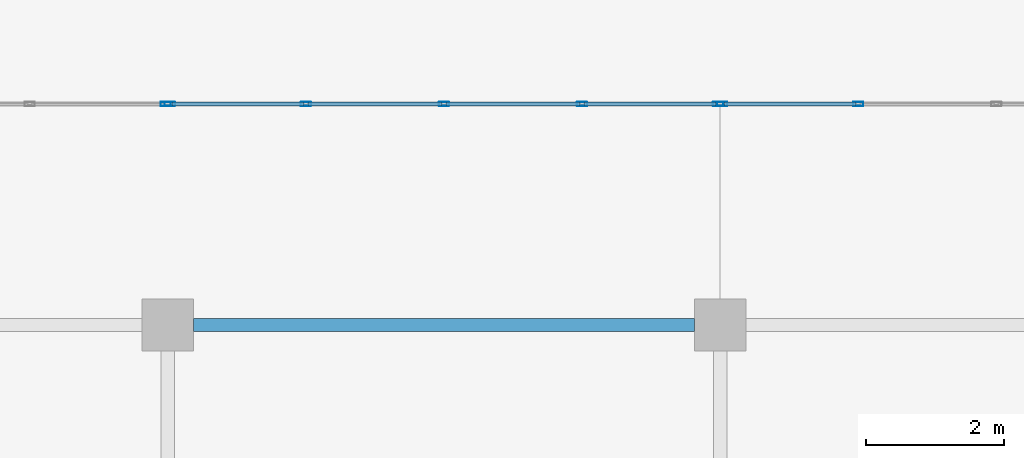
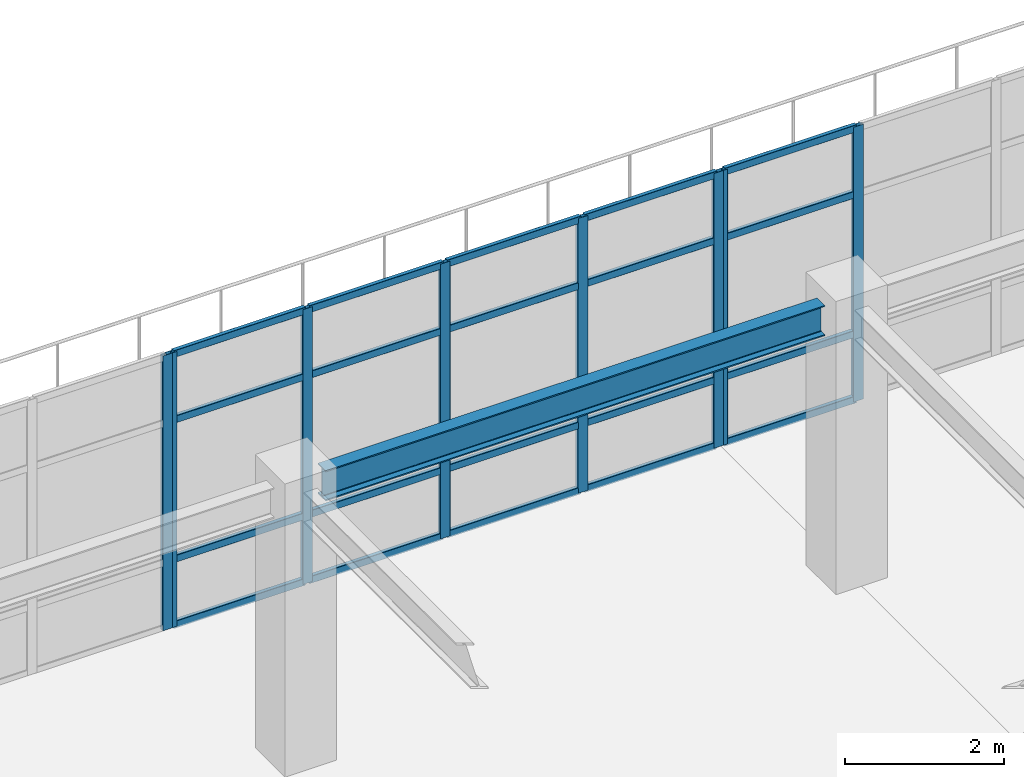
# One storey, part 15 of 42: 28 members, 1 beam, 3 elements without a shape of their own.
"""IFC4 building model written with IfcOpenShell, lengths in metres."""

from ifc_helpers import new_model, si_unit, direction, frame, origin, origin_2d, place, context, subcontext, project, spatial, hollow_rectangle, i_section, extrude, material, material_profile, profile_set, type_object, element, aggregate, save


model = new_model("IFC4")

# Units and contexts
model_context = context("Model", 3, precision=1e-05, world=origin(), true_north=direction((0.0, 1.0)))
body_context = subcontext(model_context, "Body", "Model", "MODEL_VIEW")
ifc_project = project(units=[si_unit("LENGTHUNIT", "METRE"), si_unit("AREAUNIT", "SQUARE_METRE"), si_unit("VOLUMEUNIT", "CUBIC_METRE"), si_unit("PLANEANGLEUNIT", "RADIAN"), si_unit("MASSUNIT", "GRAM", prefix="KILO")], contexts=[model_context])

# Site, building, storey
site_placement = place(None, origin())
site = spatial("IfcSite", under=ifc_project, at=site_placement, CompositionType="ELEMENT")
building_placement = place(site_placement, origin())
building = spatial("IfcBuilding", under=site, at=building_placement, Name="Solmirada Galleria", CompositionType="ELEMENT")
storey_placement = place(building_placement, frame((0.0, 0.0, 28.39990234375)))
storey = spatial("IfcBuildingStorey", under=building, at=storey_placement, Name="L06", CompositionType="ELEMENT", Elevation=28.39990234375)

# Beam
ifc_material_1 = material(Name="Steel S355 / ASTM A992 Grade 50", Category="steel")
ifc_material_profile_1 = material_profile(ifc_material_1, i_section(OverallWidth=0.193115234375, OverallDepth=0.466064453125, WebThickness=0.011474609375, FlangeThickness=0.01904296875, FilletRadius=0.013916015625, at=origin_2d()), Name="W18X65")
ifc_profile_set_1 = profile_set([ifc_material_profile_1], Name="Steel S355 / ASTM A992 Grade 50")
beam_type = type_object("IfcBeamType", Name="BM-GIRD-W18C", PredefinedType="BEAM", material=ifc_profile_set_1)
beam_placement = place(storey_placement, frame((104.375, 16.0, 4.0400390625), z_axis=(1.0, 0.0, 0.0), x_axis=(0.0, 1.0, 0.0)))
element("IfcBeam", 1, at=beam_placement, inside=storey, type_object=beam_type, Name="South roof girder X=104..112", PredefinedType="BEAM", context=body_context, shape_type="SweptSolid", body=[
    extrude(i_section(OverallWidth=0.193115234375, OverallDepth=0.466064453125, WebThickness=0.011474609375, FlangeThickness=0.01904296875, FilletRadius=0.013916015625, at=origin_2d()), origin(), (0.0, 0.0, 1.0), 7.25),
])

# Curtain wall, member
ifc_material_2 = material(Name="Impact-resistant low-E double glazing", Category="glass")
curtain_wall_type = type_object("IfcCurtainWallType", Name="CW-FZ5-L06-B4-L080", PredefinedType="NOTDEFINED", material=ifc_material_2)
curtain_wall_1_placement = place(storey_placement, origin())
curtain_wall_1 = element("IfcCurtainWall", 2, at=curtain_wall_1_placement, inside=storey, type_object=curtain_wall_type, Name="Terrace and arcade storefront CW-L06-198", PredefinedType="NOTDEFINED")
ifc_material_3 = material(Name="Anodised aluminium framing", Category="aluminium")
ifc_material_profile_2 = material_profile(ifc_material_3, hollow_rectangle(XDim=0.06005859375, YDim=0.14990234375, WallThickness=0.00341796875, InnerFilletRadius=0.00341796875, OuterFilletRadius=0.007080078125, at=origin_2d()), Name="ALU-MULL-150X60")
ifc_profile_set_2 = profile_set([ifc_material_profile_2], Name="Anodised aluminium framing")
member_type_1 = type_object("IfcMemberType", Name="CW-MULL-150", PredefinedType="MULLION", material=ifc_profile_set_2)
member_1_placement = place(storey_placement, frame((103.969970703125, 19.199951171875, 0.0), z_axis=(0.0, 0.0, 1.0), x_axis=(0.0, 1.0, 0.0)))
member_1 = element("IfcMember", 3, at=member_1_placement, type_object=member_type_1, Name="CW39 mullion 5", PredefinedType="MULLION", context=body_context, shape_type="SweptSolid", body=[
    extrude(hollow_rectangle(XDim=0.06005859375, YDim=0.14990234375, WallThickness=0.00341796875, InnerFilletRadius=0.00341796875, OuterFilletRadius=0.007080078125, at=origin_2d()), origin(), (0.0, 0.0, 1.0), 4.22021484375),
])
aggregate(curtain_wall_1, [member_1])

# Curtain wall, members
curtain_wall_2_placement = place(storey_placement, origin())
curtain_wall_2 = element("IfcCurtainWall", 4, at=curtain_wall_2_placement, inside=storey, type_object=curtain_wall_type, Name="Terrace and arcade storefront CW-L06-199", PredefinedType="NOTDEFINED")
member_2_placement = place(storey_placement, frame((104.030029296875, 19.199951171875, 0.0), z_axis=(0.0, 0.0, 1.0), x_axis=(0.0, 1.0, 0.0)))
member_2 = element("IfcMember", 5, at=member_2_placement, type_object=member_type_1, Name="CW39 mullion 1", PredefinedType="MULLION", context=body_context, shape_type="SweptSolid", body=[
    extrude(hollow_rectangle(XDim=0.06005859375, YDim=0.14990234375, WallThickness=0.00341796875, InnerFilletRadius=0.00341796875, OuterFilletRadius=0.007080078125, at=origin_2d()), origin(), (0.0, 0.0, 1.0), 4.22021484375),
])
member_3_placement = place(storey_placement, frame((106.0, 19.199951171875, 0.0), z_axis=(0.0, 0.0, 1.0), x_axis=(0.0, 1.0, 0.0)))
member_3 = element("IfcMember", 6, at=member_3_placement, type_object=member_type_1, Name="CW39 mullion 2", PredefinedType="MULLION", context=body_context, shape_type="SweptSolid", body=[
    extrude(hollow_rectangle(XDim=0.06005859375, YDim=0.14990234375, WallThickness=0.00341796875, InnerFilletRadius=0.00341796875, OuterFilletRadius=0.007080078125, at=origin_2d()), origin(), (0.0, 0.0, 1.0), 4.22021484375),
])
member_4_placement = place(storey_placement, frame((108.0, 19.199951171875, 0.0), z_axis=(0.0, 0.0, 1.0), x_axis=(0.0, 1.0, 0.0)))
member_4 = element("IfcMember", 7, at=member_4_placement, type_object=member_type_1, Name="CW39 mullion 3", PredefinedType="MULLION", context=body_context, shape_type="SweptSolid", body=[
    extrude(hollow_rectangle(XDim=0.06005859375, YDim=0.14990234375, WallThickness=0.00341796875, InnerFilletRadius=0.00341796875, OuterFilletRadius=0.007080078125, at=origin_2d()), origin(), (0.0, 0.0, 1.0), 4.22021484375),
])
member_5_placement = place(storey_placement, frame((110.0, 19.199951171875, 0.0), z_axis=(0.0, 0.0, 1.0), x_axis=(0.0, 1.0, 0.0)))
member_5 = element("IfcMember", 8, at=member_5_placement, type_object=member_type_1, Name="CW39 mullion 4", PredefinedType="MULLION", context=body_context, shape_type="SweptSolid", body=[
    extrude(hollow_rectangle(XDim=0.06005859375, YDim=0.14990234375, WallThickness=0.00341796875, InnerFilletRadius=0.00341796875, OuterFilletRadius=0.007080078125, at=origin_2d()), origin(), (0.0, 0.0, 1.0), 4.22021484375),
])
member_6_placement = place(storey_placement, frame((111.969970703125, 19.199951171875, 0.0), z_axis=(0.0, 0.0, 1.0), x_axis=(0.0, 1.0, 0.0)))
member_6 = element("IfcMember", 9, at=member_6_placement, type_object=member_type_1, Name="CW39 mullion 5", PredefinedType="MULLION", context=body_context, shape_type="SweptSolid", body=[
    extrude(hollow_rectangle(XDim=0.06005859375, YDim=0.14990234375, WallThickness=0.00341796875, InnerFilletRadius=0.00341796875, OuterFilletRadius=0.007080078125, at=origin_2d()), origin(), (0.0, 0.0, 1.0), 4.22021484375),
])

curtain_wall_3_placement = place(storey_placement, origin())
curtain_wall_3 = element("IfcCurtainWall", 10, at=curtain_wall_3_placement, inside=storey, type_object=curtain_wall_type, Name="Terrace and arcade storefront CW-L06-200", PredefinedType="NOTDEFINED")
member_7_placement = place(storey_placement, frame((112.030029296875, 19.199951171875, 0.0), z_axis=(0.0, 0.0, 1.0), x_axis=(0.0, 1.0, 0.0)))
member_7 = element("IfcMember", 11, at=member_7_placement, type_object=member_type_1, Name="CW39 mullion 1", PredefinedType="MULLION", context=body_context, shape_type="SweptSolid", body=[
    extrude(hollow_rectangle(XDim=0.06005859375, YDim=0.14990234375, WallThickness=0.00341796875, InnerFilletRadius=0.00341796875, OuterFilletRadius=0.007080078125, at=origin_2d()), origin(), (0.0, 0.0, 1.0), 4.22021484375),
])
member_8_placement = place(storey_placement, frame((114.0, 19.199951171875, 0.0), z_axis=(0.0, 0.0, 1.0), x_axis=(0.0, 1.0, 0.0)))
member_8 = element("IfcMember", 12, at=member_8_placement, type_object=member_type_1, Name="CW39 mullion 2", PredefinedType="MULLION", context=body_context, shape_type="SweptSolid", body=[
    extrude(hollow_rectangle(XDim=0.06005859375, YDim=0.14990234375, WallThickness=0.00341796875, InnerFilletRadius=0.00341796875, OuterFilletRadius=0.007080078125, at=origin_2d()), origin(), (0.0, 0.0, 1.0), 4.22021484375),
])

# Member
ifc_material_profile_3 = material_profile(ifc_material_3, hollow_rectangle(XDim=0.06005859375, YDim=0.110107421875, WallThickness=0.003173828125, InnerFilletRadius=0.003173828125, OuterFilletRadius=0.00634765625, at=origin_2d()), Name="ALU-TRAN-110X60")
ifc_profile_set_3 = profile_set([ifc_material_profile_3], Name="Anodised aluminium framing")
member_type_2 = type_object("IfcMemberType", Name="CW-TRAN-110", PredefinedType="USERDEFINED", material=ifc_profile_set_3)
member_9_placement = place(storey_placement, frame((104.06005859375, 19.199951171875, 0.030029296875), z_axis=(1.0, 0.0, 0.0), x_axis=(0.0, 1.0, 0.0)))
member_9 = element("IfcMember", 13, at=member_9_placement, type_object=member_type_2, Name="CW39 transom 1.1", ObjectType="TRANSOM", PredefinedType="USERDEFINED", context=body_context, shape_type="SweptSolid", body=[
    extrude(hollow_rectangle(XDim=0.06005859375, YDim=0.110107421875, WallThickness=0.003173828125, InnerFilletRadius=0.003173828125, OuterFilletRadius=0.00634765625, at=origin_2d()), origin(), (0.0, 0.0, 1.0), 1.909912109375),
])

member_10_placement = place(storey_placement, frame((104.06005859375, 19.199951171875, 1.0400390625), z_axis=(1.0, 0.0, 0.0), x_axis=(0.0, 1.0, 0.0)))
member_10 = element("IfcMember", 14, at=member_10_placement, type_object=member_type_2, Name="CW39 transom 1.2", ObjectType="TRANSOM", PredefinedType="USERDEFINED", context=body_context, shape_type="SweptSolid", body=[
    extrude(hollow_rectangle(XDim=0.06005859375, YDim=0.110107421875, WallThickness=0.003173828125, InnerFilletRadius=0.003173828125, OuterFilletRadius=0.00634765625, at=origin_2d()), origin(), (0.0, 0.0, 1.0), 1.909912109375),
])

member_11_placement = place(storey_placement, frame((104.06005859375, 19.199951171875, 3.18017578125), z_axis=(1.0, 0.0, 0.0), x_axis=(0.0, 1.0, 0.0)))
member_11 = element("IfcMember", 15, at=member_11_placement, type_object=member_type_2, Name="CW39 transom 1.3", ObjectType="TRANSOM", PredefinedType="USERDEFINED", context=body_context, shape_type="SweptSolid", body=[
    extrude(hollow_rectangle(XDim=0.06005859375, YDim=0.110107421875, WallThickness=0.003173828125, InnerFilletRadius=0.003173828125, OuterFilletRadius=0.00634765625, at=origin_2d()), origin(), (0.0, 0.0, 1.0), 1.909912109375),
])

member_12_placement = place(storey_placement, frame((104.06005859375, 19.199951171875, 4.190185546875), z_axis=(1.0, 0.0, 0.0), x_axis=(0.0, 1.0, 0.0)))
member_12 = element("IfcMember", 16, at=member_12_placement, type_object=member_type_2, Name="CW39 transom 1.4", ObjectType="TRANSOM", PredefinedType="USERDEFINED", context=body_context, shape_type="SweptSolid", body=[
    extrude(hollow_rectangle(XDim=0.06005859375, YDim=0.110107421875, WallThickness=0.003173828125, InnerFilletRadius=0.003173828125, OuterFilletRadius=0.00634765625, at=origin_2d()), origin(), (0.0, 0.0, 1.0), 1.909912109375),
])

member_13_placement = place(storey_placement, frame((106.030029296875, 19.199951171875, 0.030029296875), z_axis=(1.0, 0.0, 0.0), x_axis=(0.0, 1.0, 0.0)))
member_13 = element("IfcMember", 17, at=member_13_placement, type_object=member_type_2, Name="CW39 transom 2.1", ObjectType="TRANSOM", PredefinedType="USERDEFINED", context=body_context, shape_type="SweptSolid", body=[
    extrude(hollow_rectangle(XDim=0.06005859375, YDim=0.110107421875, WallThickness=0.003173828125, InnerFilletRadius=0.003173828125, OuterFilletRadius=0.00634765625, at=origin_2d()), origin(), (0.0, 0.0, 1.0), 1.93994140625),
])

member_14_placement = place(storey_placement, frame((106.030029296875, 19.199951171875, 1.0400390625), z_axis=(1.0, 0.0, 0.0), x_axis=(0.0, 1.0, 0.0)))
member_14 = element("IfcMember", 18, at=member_14_placement, type_object=member_type_2, Name="CW39 transom 2.2", ObjectType="TRANSOM", PredefinedType="USERDEFINED", context=body_context, shape_type="SweptSolid", body=[
    extrude(hollow_rectangle(XDim=0.06005859375, YDim=0.110107421875, WallThickness=0.003173828125, InnerFilletRadius=0.003173828125, OuterFilletRadius=0.00634765625, at=origin_2d()), origin(), (0.0, 0.0, 1.0), 1.93994140625),
])

member_15_placement = place(storey_placement, frame((106.030029296875, 19.199951171875, 3.18017578125), z_axis=(1.0, 0.0, 0.0), x_axis=(0.0, 1.0, 0.0)))
member_15 = element("IfcMember", 19, at=member_15_placement, type_object=member_type_2, Name="CW39 transom 2.3", ObjectType="TRANSOM", PredefinedType="USERDEFINED", context=body_context, shape_type="SweptSolid", body=[
    extrude(hollow_rectangle(XDim=0.06005859375, YDim=0.110107421875, WallThickness=0.003173828125, InnerFilletRadius=0.003173828125, OuterFilletRadius=0.00634765625, at=origin_2d()), origin(), (0.0, 0.0, 1.0), 1.93994140625),
])

member_16_placement = place(storey_placement, frame((106.030029296875, 19.199951171875, 4.190185546875), z_axis=(1.0, 0.0, 0.0), x_axis=(0.0, 1.0, 0.0)))
member_16 = element("IfcMember", 20, at=member_16_placement, type_object=member_type_2, Name="CW39 transom 2.4", ObjectType="TRANSOM", PredefinedType="USERDEFINED", context=body_context, shape_type="SweptSolid", body=[
    extrude(hollow_rectangle(XDim=0.06005859375, YDim=0.110107421875, WallThickness=0.003173828125, InnerFilletRadius=0.003173828125, OuterFilletRadius=0.00634765625, at=origin_2d()), origin(), (0.0, 0.0, 1.0), 1.93994140625),
])

member_17_placement = place(storey_placement, frame((108.030029296875, 19.199951171875, 0.030029296875), z_axis=(1.0, 0.0, 0.0), x_axis=(0.0, 1.0, 0.0)))
member_17 = element("IfcMember", 21, at=member_17_placement, type_object=member_type_2, Name="CW39 transom 3.1", ObjectType="TRANSOM", PredefinedType="USERDEFINED", context=body_context, shape_type="SweptSolid", body=[
    extrude(hollow_rectangle(XDim=0.06005859375, YDim=0.110107421875, WallThickness=0.003173828125, InnerFilletRadius=0.003173828125, OuterFilletRadius=0.00634765625, at=origin_2d()), origin(), (0.0, 0.0, 1.0), 1.93994140625),
])

member_18_placement = place(storey_placement, frame((108.030029296875, 19.199951171875, 1.0400390625), z_axis=(1.0, 0.0, 0.0), x_axis=(0.0, 1.0, 0.0)))
member_18 = element("IfcMember", 22, at=member_18_placement, type_object=member_type_2, Name="CW39 transom 3.2", ObjectType="TRANSOM", PredefinedType="USERDEFINED", context=body_context, shape_type="SweptSolid", body=[
    extrude(hollow_rectangle(XDim=0.06005859375, YDim=0.110107421875, WallThickness=0.003173828125, InnerFilletRadius=0.003173828125, OuterFilletRadius=0.00634765625, at=origin_2d()), origin(), (0.0, 0.0, 1.0), 1.93994140625),
])

member_19_placement = place(storey_placement, frame((108.030029296875, 19.199951171875, 3.18017578125), z_axis=(1.0, 0.0, 0.0), x_axis=(0.0, 1.0, 0.0)))
member_19 = element("IfcMember", 23, at=member_19_placement, type_object=member_type_2, Name="CW39 transom 3.3", ObjectType="TRANSOM", PredefinedType="USERDEFINED", context=body_context, shape_type="SweptSolid", body=[
    extrude(hollow_rectangle(XDim=0.06005859375, YDim=0.110107421875, WallThickness=0.003173828125, InnerFilletRadius=0.003173828125, OuterFilletRadius=0.00634765625, at=origin_2d()), origin(), (0.0, 0.0, 1.0), 1.93994140625),
])

member_20_placement = place(storey_placement, frame((108.030029296875, 19.199951171875, 4.190185546875), z_axis=(1.0, 0.0, 0.0), x_axis=(0.0, 1.0, 0.0)))
member_20 = element("IfcMember", 24, at=member_20_placement, type_object=member_type_2, Name="CW39 transom 3.4", ObjectType="TRANSOM", PredefinedType="USERDEFINED", context=body_context, shape_type="SweptSolid", body=[
    extrude(hollow_rectangle(XDim=0.06005859375, YDim=0.110107421875, WallThickness=0.003173828125, InnerFilletRadius=0.003173828125, OuterFilletRadius=0.00634765625, at=origin_2d()), origin(), (0.0, 0.0, 1.0), 1.93994140625),
])

member_21_placement = place(storey_placement, frame((110.030029296875, 19.199951171875, 0.030029296875), z_axis=(1.0, 0.0, 0.0), x_axis=(0.0, 1.0, 0.0)))
member_21 = element("IfcMember", 25, at=member_21_placement, type_object=member_type_2, Name="CW39 transom 4.1", ObjectType="TRANSOM", PredefinedType="USERDEFINED", context=body_context, shape_type="SweptSolid", body=[
    extrude(hollow_rectangle(XDim=0.06005859375, YDim=0.110107421875, WallThickness=0.003173828125, InnerFilletRadius=0.003173828125, OuterFilletRadius=0.00634765625, at=origin_2d()), origin(), (0.0, 0.0, 1.0), 1.909912109375),
])

member_22_placement = place(storey_placement, frame((110.030029296875, 19.199951171875, 1.0400390625), z_axis=(1.0, 0.0, 0.0), x_axis=(0.0, 1.0, 0.0)))
member_22 = element("IfcMember", 26, at=member_22_placement, type_object=member_type_2, Name="CW39 transom 4.2", ObjectType="TRANSOM", PredefinedType="USERDEFINED", context=body_context, shape_type="SweptSolid", body=[
    extrude(hollow_rectangle(XDim=0.06005859375, YDim=0.110107421875, WallThickness=0.003173828125, InnerFilletRadius=0.003173828125, OuterFilletRadius=0.00634765625, at=origin_2d()), origin(), (0.0, 0.0, 1.0), 1.909912109375),
])

member_23_placement = place(storey_placement, frame((110.030029296875, 19.199951171875, 3.18017578125), z_axis=(1.0, 0.0, 0.0), x_axis=(0.0, 1.0, 0.0)))
member_23 = element("IfcMember", 27, at=member_23_placement, type_object=member_type_2, Name="CW39 transom 4.3", ObjectType="TRANSOM", PredefinedType="USERDEFINED", context=body_context, shape_type="SweptSolid", body=[
    extrude(hollow_rectangle(XDim=0.06005859375, YDim=0.110107421875, WallThickness=0.003173828125, InnerFilletRadius=0.003173828125, OuterFilletRadius=0.00634765625, at=origin_2d()), origin(), (0.0, 0.0, 1.0), 1.909912109375),
])

member_24_placement = place(storey_placement, frame((110.030029296875, 19.199951171875, 4.190185546875), z_axis=(1.0, 0.0, 0.0), x_axis=(0.0, 1.0, 0.0)))
member_24 = element("IfcMember", 28, at=member_24_placement, type_object=member_type_2, Name="CW39 transom 4.4", ObjectType="TRANSOM", PredefinedType="USERDEFINED", context=body_context, shape_type="SweptSolid", body=[
    extrude(hollow_rectangle(XDim=0.06005859375, YDim=0.110107421875, WallThickness=0.003173828125, InnerFilletRadius=0.003173828125, OuterFilletRadius=0.00634765625, at=origin_2d()), origin(), (0.0, 0.0, 1.0), 1.909912109375),
])

aggregate(curtain_wall_2, [member_2, member_3, member_4, member_5, member_6, member_9, member_10, member_11, member_12, member_13, member_14, member_15, member_16, member_17, member_18, member_19, member_20, member_21, member_22, member_23, member_24])

member_25_placement = place(storey_placement, frame((112.06005859375, 19.199951171875, 0.030029296875), z_axis=(1.0, 0.0, 0.0), x_axis=(0.0, 1.0, 0.0)))
member_25 = element("IfcMember", 29, at=member_25_placement, type_object=member_type_2, Name="CW39 transom 1.1", ObjectType="TRANSOM", PredefinedType="USERDEFINED", context=body_context, shape_type="SweptSolid", body=[
    extrude(hollow_rectangle(XDim=0.06005859375, YDim=0.110107421875, WallThickness=0.003173828125, InnerFilletRadius=0.003173828125, OuterFilletRadius=0.00634765625, at=origin_2d()), origin(), (0.0, 0.0, 1.0), 1.909912109375),
])

member_26_placement = place(storey_placement, frame((112.06005859375, 19.199951171875, 1.0400390625), z_axis=(1.0, 0.0, 0.0), x_axis=(0.0, 1.0, 0.0)))
member_26 = element("IfcMember", 30, at=member_26_placement, type_object=member_type_2, Name="CW39 transom 1.2", ObjectType="TRANSOM", PredefinedType="USERDEFINED", context=body_context, shape_type="SweptSolid", body=[
    extrude(hollow_rectangle(XDim=0.06005859375, YDim=0.110107421875, WallThickness=0.003173828125, InnerFilletRadius=0.003173828125, OuterFilletRadius=0.00634765625, at=origin_2d()), origin(), (0.0, 0.0, 1.0), 1.909912109375),
])

member_27_placement = place(storey_placement, frame((112.06005859375, 19.199951171875, 3.18017578125), z_axis=(1.0, 0.0, 0.0), x_axis=(0.0, 1.0, 0.0)))
member_27 = element("IfcMember", 31, at=member_27_placement, type_object=member_type_2, Name="CW39 transom 1.3", ObjectType="TRANSOM", PredefinedType="USERDEFINED", context=body_context, shape_type="SweptSolid", body=[
    extrude(hollow_rectangle(XDim=0.06005859375, YDim=0.110107421875, WallThickness=0.003173828125, InnerFilletRadius=0.003173828125, OuterFilletRadius=0.00634765625, at=origin_2d()), origin(), (0.0, 0.0, 1.0), 1.909912109375),
])

member_28_placement = place(storey_placement, frame((112.06005859375, 19.199951171875, 4.190185546875), z_axis=(1.0, 0.0, 0.0), x_axis=(0.0, 1.0, 0.0)))
member_28 = element("IfcMember", 32, at=member_28_placement, type_object=member_type_2, Name="CW39 transom 1.4", ObjectType="TRANSOM", PredefinedType="USERDEFINED", context=body_context, shape_type="SweptSolid", body=[
    extrude(hollow_rectangle(XDim=0.06005859375, YDim=0.110107421875, WallThickness=0.003173828125, InnerFilletRadius=0.003173828125, OuterFilletRadius=0.00634765625, at=origin_2d()), origin(), (0.0, 0.0, 1.0), 1.909912109375),
])

aggregate(curtain_wall_3, [member_7, member_8, member_25, member_26, member_27, member_28])

save(model, "model.ifc")
